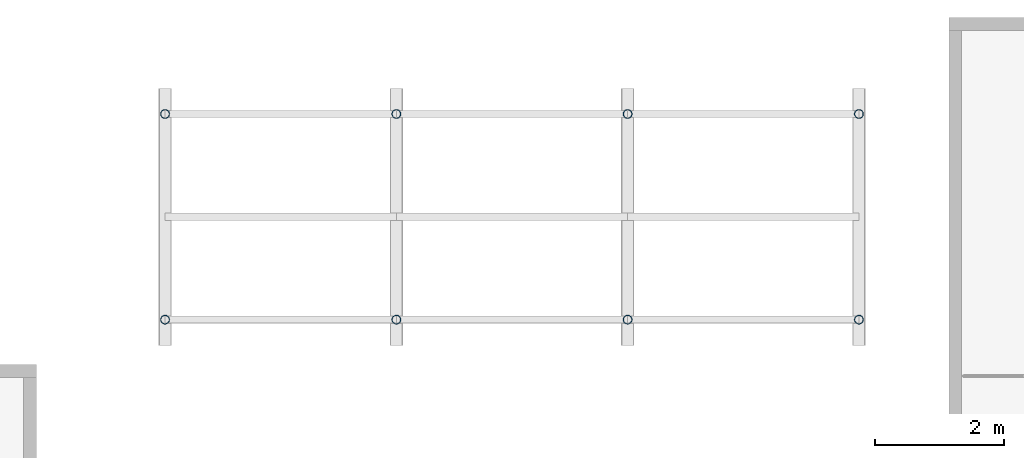
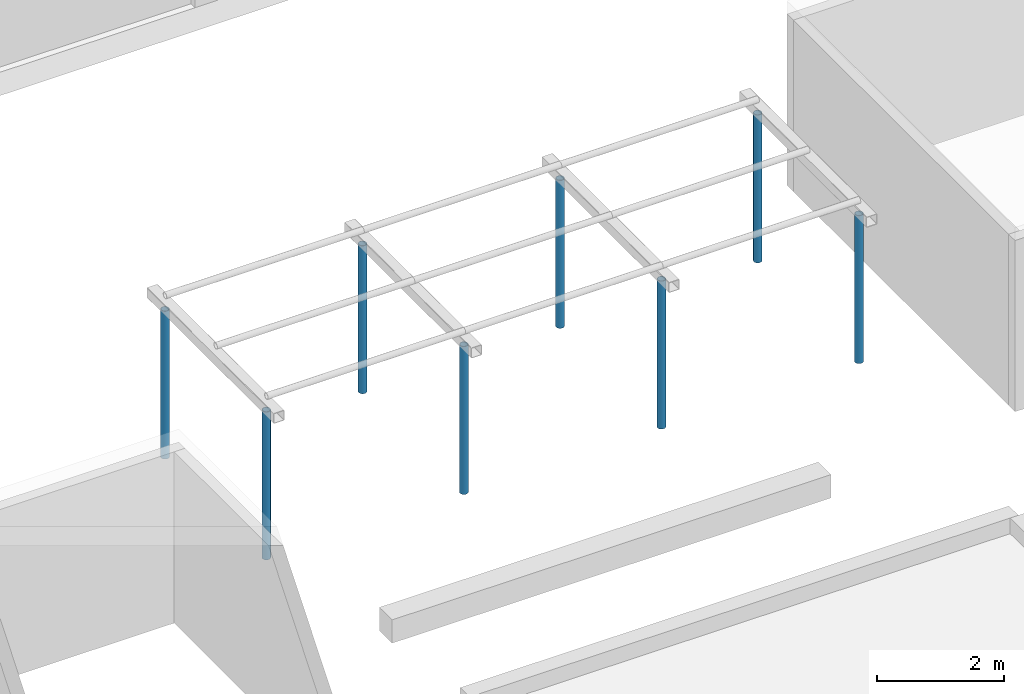
# One storey, part 6 of 71: 8 columns.
"""IFC4 building model written with IfcOpenShell, lengths in metres."""

from ifc_helpers import new_model, si_unit, direction, frame, origin, origin_2d, place, context, subcontext, project, spatial, hollow_circle, extrude, material, material_profile, profile_set, type_object, element, save


model = new_model("IFC4")

# Units and contexts
model_context = context("Model", 3, precision=1e-05, world=origin(), true_north=direction((0.0, 1.0)))
body_context = subcontext(model_context, "Body", "Model", "MODEL_VIEW")
ifc_project = project(units=[si_unit("LENGTHUNIT", "METRE"), si_unit("AREAUNIT", "SQUARE_METRE"), si_unit("VOLUMEUNIT", "CUBIC_METRE"), si_unit("PLANEANGLEUNIT", "RADIAN"), si_unit("MASSUNIT", "GRAM", prefix="KILO")], contexts=[model_context])

# Site, building, storey
site_placement = place(None, origin())
site = spatial("IfcSite", under=ifc_project, at=site_placement, CompositionType="ELEMENT")
building_placement = place(site_placement, origin())
building = spatial("IfcBuilding", under=site, at=building_placement, Name="Basin Gate Institute", CompositionType="ELEMENT")
storey_placement = place(building_placement, origin())
storey = spatial("IfcBuildingStorey", under=building, at=storey_placement, Name="L00", CompositionType="ELEMENT", Elevation=0.0)

# Columns
ifc_material = material(Name="Structural steel SN490", Category="steel")
ifc_material_profile = material_profile(ifc_material, hollow_circle(Radius=0.06982421875, WallThickness=0.006103515625, at=origin_2d()), Name="CHS139x6")
ifc_profile_set = profile_set([ifc_material_profile], Name="Structural steel SN490")
column_type = type_object("IfcColumnType", Name="Court steel TD4 Column column", PredefinedType="COLUMN", material=ifc_profile_set)
for number, where, z_axis, x_axis, name in (
    (1, (125.5, 56.39990234375, -0.050048828125), (0.0, 0.0, 1.0), (1.0, 0.0, 0.0), "Service Court pergola post"),
    (2, (125.5, 59.60009765625, -0.050048828125), (0.0, 0.0, 1.0), (1.0, 0.0, 0.0), "Service Court pergola post"),
    (3, (129.10009765625, 56.39990234375, -0.050048828125), (0.0, 0.0, 1.0), (1.0, 0.0, 0.0), "Service Court pergola post"),
    (4, (129.10009765625, 59.60009765625, -0.050048828125), (0.0, 0.0, 1.0), (1.0, 0.0, 0.0), "Service Court pergola post"),
    (5, (132.699951171875, 56.39990234375, -0.050048828125), (0.0, 0.0, 1.0), (1.0, 0.0, 0.0), "Service Court pergola post"),
    (6, (132.699951171875, 59.60009765625, -0.050048828125), (0.0, 0.0, 1.0), (1.0, 0.0, 0.0), "Service Court pergola post"),
    (7, (136.300048828125, 56.39990234375, -0.050048828125), (0.0, 0.0, 1.0), (1.0, 0.0, 0.0), "Service Court pergola post"),
    (8, (136.300048828125, 59.60009765625, -0.050048828125), (0.0, 0.0, 1.0), (1.0, 0.0, 0.0), "Service Court pergola post"),
):
    element("IfcColumn", number, at=place(storey_placement, frame(where, z_axis=z_axis, x_axis=x_axis)), inside=storey, type_object=column_type, material=ifc_profile_set, Name=name, PredefinedType="COLUMN", context=body_context, shape_type="SweptSolid", body=[
        extrude(hollow_circle(Radius=0.06982421875, WallThickness=0.006103515625, at=origin_2d()), origin(), (0.0, 0.0, 1.0), 2.85009765625),
    ])

save(model, "model.ifc")
